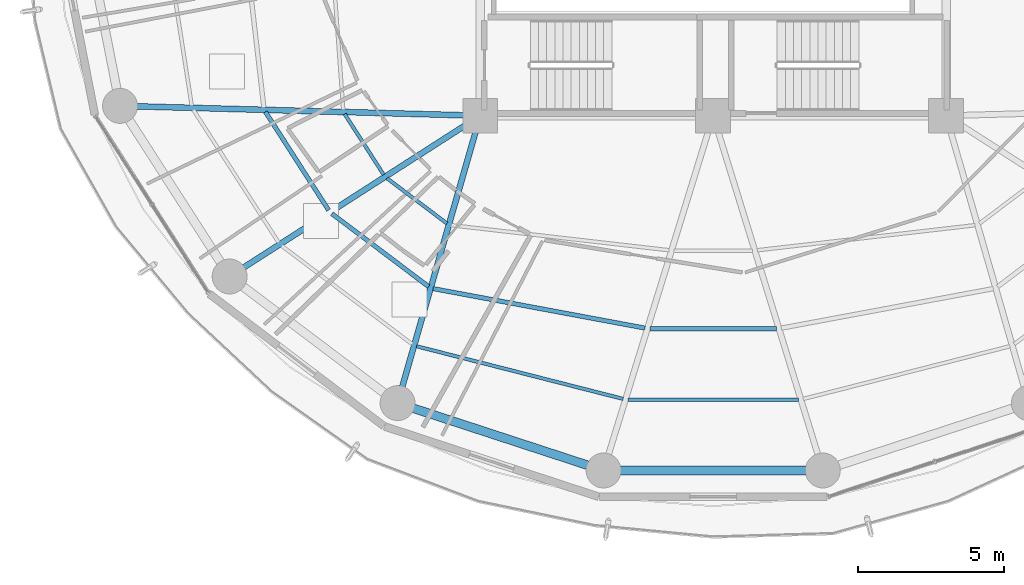
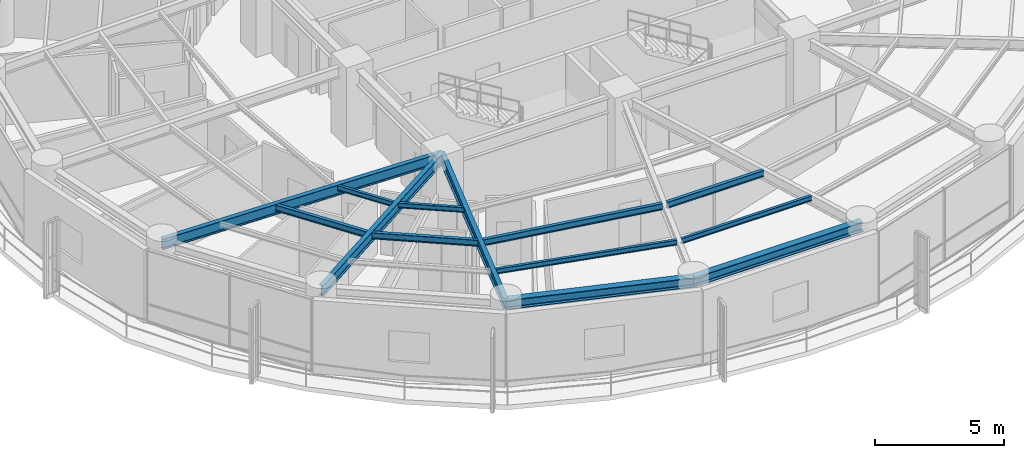
# One storey, part 3 of 28: 13 beams.
"""IFC4 building model written with IfcOpenShell, lengths in metres."""

from ifc_helpers import new_model, si_unit, direction, frame, origin, origin_2d, place, context, subcontext, project, spatial, i_section, extrude, material, material_profile, profile_set, type_object, element, save


model = new_model("IFC4")

# Units and contexts
model_context = context("Model", 3, precision=1e-05, world=origin(), true_north=direction((0.0, 1.0)))
body_context = subcontext(model_context, "Body", "Model", "MODEL_VIEW")
ifc_project = project(units=[si_unit("LENGTHUNIT", "METRE"), si_unit("AREAUNIT", "SQUARE_METRE"), si_unit("VOLUMEUNIT", "CUBIC_METRE"), si_unit("PLANEANGLEUNIT", "RADIAN"), si_unit("MASSUNIT", "GRAM", prefix="KILO")], contexts=[model_context])

# Site, building, storey
site_placement = place(None, origin())
site = spatial("IfcSite", under=ifc_project, at=site_placement, CompositionType="ELEMENT")
building_placement = place(site_placement, origin())
building = spatial("IfcBuilding", under=site, at=building_placement, Name="Kelanora Arch Commons", CompositionType="ELEMENT")
storey_placement = place(building_placement, frame((0.0, 0.0, 161.85009765625)))
storey = spatial("IfcBuildingStorey", under=building, at=storey_placement, Name="L41", CompositionType="ELEMENT", Elevation=161.85009765625)

# Beams
ifc_material = material(Name="Steel S355", Category="steel")
ifc_material_profile_1 = material_profile(ifc_material, i_section(OverallWidth=0.14990234375, OverallDepth=0.300048828125, WebThickness=0.007080078125, FlangeThickness=0.0107421875, FilletRadius=0.014892578125, at=origin_2d()), Name="IPE300")
ifc_profile_set_1 = profile_set([ifc_material_profile_1], Name="Steel S355")
beam_type_1 = type_object("IfcBeamType", Name="BM-JST-01", PredefinedType="JOIST", material=ifc_profile_set_1)
beam_1_placement = place(storey_placement, frame((58.622314453125, 51.130859375, 3.33984375), z_axis=(0.540594434398, -0.841283339606, 0.0), x_axis=(0.841283339606, 0.540594434398, 0.0)))
element("IfcBeam", 1, at=beam_1_placement, inside=storey, type_object=beam_type_1, Name="Secondary Chord Joist BJB-20 L41", PredefinedType="JOIST", context=body_context, shape_type="SweptSolid", body=[
    extrude(i_section(OverallWidth=0.14990234375, OverallDepth=0.300048828125, WebThickness=0.007080078125, FlangeThickness=0.0107421875, FilletRadius=0.014892578125, at=origin_2d()), origin(), (0.0, 0.0, 1.0), 4.008544921875),
])
beam_2_placement = place(storey_placement, frame((60.9033203125, 47.635986328125, 3.33984375), z_axis=(0.798463547891, -0.602043156833, 0.0), x_axis=(0.602043156833, 0.798463547891, 0.0)))
element("IfcBeam", 2, at=beam_2_placement, inside=storey, type_object=beam_type_1, Name="Secondary Chord Joist BJB-22 L41", PredefinedType="JOIST", context=body_context, shape_type="SweptSolid", body=[
    extrude(i_section(OverallWidth=0.14990234375, OverallDepth=0.300048828125, WebThickness=0.007080078125, FlangeThickness=0.0107421875, FilletRadius=0.014892578125, at=origin_2d()), origin(), (0.0, 0.0, 1.0), 4.163818359375),
])
beam_3_placement = place(storey_placement, frame((64.379638671875, 45.062255859375, 3.33984375), z_axis=(0.983054256126, -0.183314837134, 0.0), x_axis=(0.183314837134, 0.983054256126, 0.0)))
element("IfcBeam", 3, at=beam_3_placement, inside=storey, type_object=beam_type_1, Name="Secondary Chord Joist BJB-24 L41", PredefinedType="JOIST", context=body_context, shape_type="SweptSolid", body=[
    extrude(i_section(OverallWidth=0.14990234375, OverallDepth=0.300048828125, WebThickness=0.007080078125, FlangeThickness=0.0107421875, FilletRadius=0.014892578125, at=origin_2d()), origin(), (0.0, 0.0, 1.0), 7.403564453125),
])
beam_4_placement = place(storey_placement, frame((71.826171875, 43.689453125, 3.33984375), z_axis=(1.0, 0.0, 0.0), x_axis=(0.0, 1.0, 0.0)))
element("IfcBeam", 4, at=beam_4_placement, inside=storey, type_object=beam_type_1, Name="Secondary Chord Joist BJB-26 L41", PredefinedType="JOIST", context=body_context, shape_type="SweptSolid", body=[
    extrude(i_section(OverallWidth=0.14990234375, OverallDepth=0.300048828125, WebThickness=0.007080078125, FlangeThickness=0.0107421875, FilletRadius=0.014892578125, at=origin_2d()), origin(), (0.0, 0.0, 1.0), 4.34765625),
])
ifc_material_profile_2 = material_profile(ifc_material, i_section(OverallWidth=0.1201171875, OverallDepth=0.239990234375, WebThickness=0.006103515625, FlangeThickness=0.009765625, FilletRadius=0.014892578125, at=origin_2d()), Name="IPE240")
ifc_profile_set_2 = profile_set([ifc_material_profile_2], Name="Steel S355")
beam_type_2 = type_object("IfcBeamType", Name="BM-JST-02", PredefinedType="JOIST", material=ifc_profile_set_2)
beam_5_placement = place(storey_placement, frame((61.344482421875, 51.056640625, 3.369873046875), z_axis=(0.540583174025, -0.841290575224, 0.0), x_axis=(0.841290575224, 0.540583174025, 0.0)))
element("IfcBeam", 5, at=beam_5_placement, inside=storey, type_object=beam_type_2, Name="Secondary Chord Joist BJA-20 L41", PredefinedType="JOIST", context=body_context, shape_type="SweptSolid", body=[
    extrude(i_section(OverallWidth=0.1201171875, OverallDepth=0.239990234375, WebThickness=0.006103515625, FlangeThickness=0.009765625, FilletRadius=0.014892578125, at=origin_2d()), origin(), (0.0, 0.0, 1.0), 2.476318359375),
])
beam_6_placement = place(storey_placement, frame((62.796875, 48.8505859375, 3.369873046875), z_axis=(0.798484118859, -0.602015873487, 0.0), x_axis=(0.602015873487, 0.798484118859, 0.0)))
element("IfcBeam", 6, at=beam_6_placement, inside=storey, type_object=beam_type_2, Name="Secondary Chord Joist BJA-22 L41", PredefinedType="JOIST", context=body_context, shape_type="SweptSolid", body=[
    extrude(i_section(OverallWidth=0.1201171875, OverallDepth=0.239990234375, WebThickness=0.006103515625, FlangeThickness=0.009765625, FilletRadius=0.014892578125, at=origin_2d()), origin(), (0.0, 0.0, 1.0), 2.57470703125),
])
beam_7_placement = place(storey_placement, frame((63.810302734375, 43.082763671875, 3.369873046875), z_axis=(0.96900232943, -0.247051584815, 0.0), x_axis=(0.247051584815, 0.96900232943, 0.0)))
element("IfcBeam", 7, at=beam_7_placement, inside=storey, type_object=beam_type_2, Name="Secondary Chord Joist BJC-24 L41", PredefinedType="JOIST", context=body_context, shape_type="SweptSolid", body=[
    extrude(i_section(OverallWidth=0.1201171875, OverallDepth=0.239990234375, WebThickness=0.006103515625, FlangeThickness=0.009765625, FilletRadius=0.014892578125, at=origin_2d()), origin(), (0.0, 0.0, 1.0), 7.32275390625),
])
beam_8_placement = place(storey_placement, frame((71.0732421875, 41.252685546875, 3.369873046875), z_axis=(1.0, 0.0, 0.0), x_axis=(0.0, 1.0, 0.0)))
element("IfcBeam", 8, at=beam_8_placement, inside=storey, type_object=beam_type_2, Name="Secondary Chord Joist BJC-26 L41", PredefinedType="JOIST", context=body_context, shape_type="SweptSolid", body=[
    extrude(i_section(OverallWidth=0.1201171875, OverallDepth=0.239990234375, WebThickness=0.006103515625, FlangeThickness=0.009765625, FilletRadius=0.014892578125, at=origin_2d()), origin(), (0.0, 0.0, 1.0), 5.853515625),
])
ifc_material_profile_3 = material_profile(ifc_material, i_section(OverallWidth=0.199951171875, OverallDepth=0.5, WebThickness=0.01025390625, FlangeThickness=0.01611328125, FilletRadius=0.02099609375, at=origin_2d()), Name="IPE500")
ifc_profile_set_3 = profile_set([ifc_material_profile_3], Name="Steel S355")
beam_type_3 = type_object("IfcBeamType", Name="BM-RAD-Z3", PredefinedType="BEAM", material=ifc_profile_set_3)
beam_9_placement = place(storey_placement, frame((66.0, 51.0, 3.239990234375), z_axis=(-0.999628374924, 0.027260081577, 0.0), x_axis=(-0.027260081577, -0.999628374924, 0.0)))
element("IfcBeam", 9, at=beam_9_placement, inside=storey, type_object=beam_type_3, Name="Radial Floor Girder BR-20 L41", PredefinedType="BEAM", context=body_context, shape_type="SweptSolid", body=[
    extrude(i_section(OverallWidth=0.199951171875, OverallDepth=0.5, WebThickness=0.01025390625, FlangeThickness=0.01611328125, FilletRadius=0.02099609375, at=origin_2d()), origin(), (0.0, 0.0, 1.0), 12.377197265625),
])
beam_10_placement = place(storey_placement, frame((66.0, 51.0, 3.239990234375), z_axis=(-0.841719465748, -0.539915123868, 0.0), x_axis=(0.539915123868, -0.841719465748, 0.0)))
element("IfcBeam", 10, at=beam_10_placement, inside=storey, type_object=beam_type_3, Name="Radial Floor Girder BR-22 L41", PredefinedType="BEAM", context=body_context, shape_type="SweptSolid", body=[
    extrude(i_section(OverallWidth=0.199951171875, OverallDepth=0.5, WebThickness=0.01025390625, FlangeThickness=0.01611328125, FilletRadius=0.02099609375, at=origin_2d()), origin(), (0.0, 0.0, 1.0), 10.2265625),
])
beam_11_placement = place(storey_placement, frame((66.0, 51.0, 3.239990234375), z_axis=(-0.276525880065, -0.961006471182, 0.0), x_axis=(0.961006471182, -0.276525880065, 0.0)))
element("IfcBeam", 11, at=beam_11_placement, inside=storey, type_object=beam_type_3, Name="Radial Floor Girder BR-24 L41", PredefinedType="BEAM", context=body_context, shape_type="SweptSolid", body=[
    extrude(i_section(OverallWidth=0.199951171875, OverallDepth=0.5, WebThickness=0.01025390625, FlangeThickness=0.01611328125, FilletRadius=0.02099609375, at=origin_2d()), origin(), (0.0, 0.0, 1.0), 10.2705078125),
])
ifc_material_profile_4 = material_profile(ifc_material, i_section(OverallWidth=0.300048828125, OverallDepth=0.449951171875, WebThickness=0.013916015625, FlangeThickness=0.02587890625, FilletRadius=0.027099609375, at=origin_2d()), Name="HEB450")
ifc_profile_set_4 = profile_set([ifc_material_profile_4], Name="Steel S355")
beam_type_4 = type_object("IfcBeamType", Name="BM-SPN-Z3", PredefinedType="SPANDREL", material=ifc_profile_set_4)
beam_12_placement = place(storey_placement, frame((63.159912109375, 41.1298828125, 3.264892578125), z_axis=(0.950461975786, -0.310840847676, 0.0), x_axis=(0.310840847676, 0.950461975786, 0.0)))
element("IfcBeam", 12, at=beam_12_placement, inside=storey, type_object=beam_type_4, Name="Perimeter Spandrel Beam BS-24 L41", PredefinedType="SPANDREL", context=body_context, shape_type="SweptSolid", body=[
    extrude(i_section(OverallWidth=0.300048828125, OverallDepth=0.449951171875, WebThickness=0.013916015625, FlangeThickness=0.02587890625, FilletRadius=0.027099609375, at=origin_2d()), origin(), (0.0, 0.0, 1.0), 7.444091796875),
])
beam_13_placement = place(storey_placement, frame((70.2353515625, 38.81591796875, 3.264892578125), z_axis=(1.0, 0.0, 0.0), x_axis=(0.0, 1.0, 0.0)))
element("IfcBeam", 13, at=beam_13_placement, inside=storey, type_object=beam_type_4, Name="Perimeter Spandrel Beam BS-26 L41", PredefinedType="SPANDREL", context=body_context, shape_type="SweptSolid", body=[
    extrude(i_section(OverallWidth=0.300048828125, OverallDepth=0.449951171875, WebThickness=0.013916015625, FlangeThickness=0.02587890625, FilletRadius=0.027099609375, at=origin_2d()), origin(), (0.0, 0.0, 1.0), 7.529296875),
])

save(model, "model.ifc")
